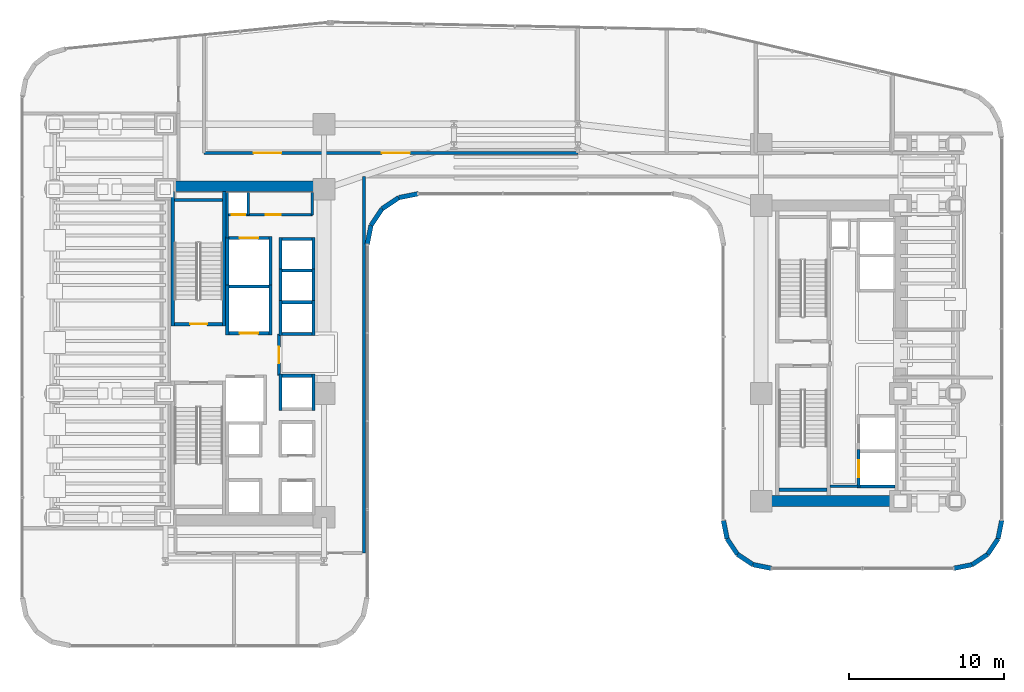
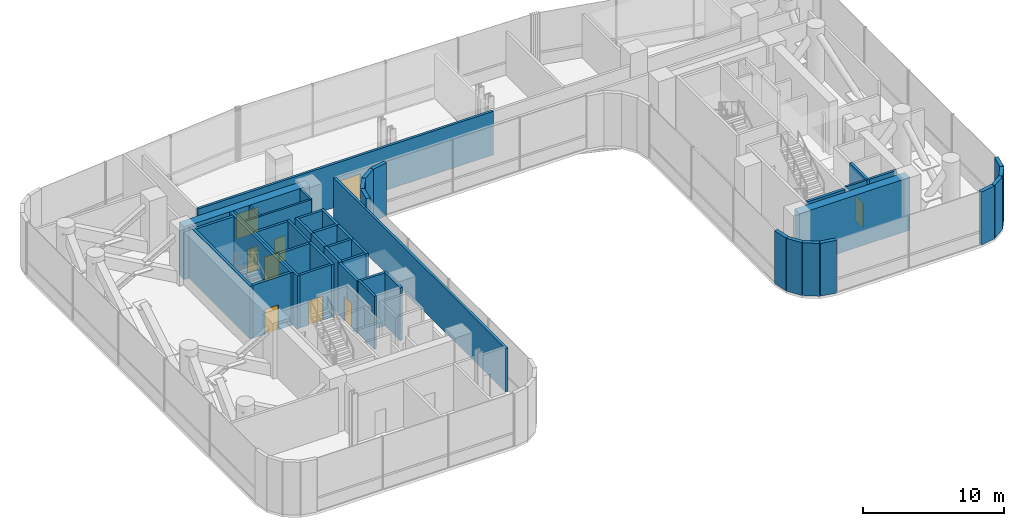
# One storey, part 33 of 39: 49 walls, 9 doors, 9 openings.
"""IFC4 building model written with IfcOpenShell, lengths in metres."""

import ifcopenshell
import ifcopenshell.guid

model = None  # the IFC model being written
_history = None  # IfcOwnerHistory: only IFC2X3 demands one
_inside = {}  # id of a spatial element -> (the spatial element, [elements in it])
_under = {}  # id of a project, library or spatial element -> (it, [spatial elements below it])
_declared = {}  # id of a project -> (the project, [libraries it declares])
_typed = {}  # id of a type object -> (the type object, [elements of that type])
_made_of = {}  # id of a material, layer set ... -> (it, [elements and type objects made of it])


def new_model(schema):
    """Start an empty IFC model of exactly this schema.

    Asked for "IFC4X3", IfcOpenShell would pick the latest addendum, in which some entities
    have other attributes; the version numbers below select the first issue.
    IFC2X3 requires an IfcOwnerHistory on every rooted entity: one is made here for all.
    """
    global model, _history
    if schema == "IFC4X3":
        model = ifcopenshell.file(schema_version=(4, 3, 0, 0))
    else:
        model = ifcopenshell.file(schema=schema)
    _inside.clear()
    _under.clear()
    _declared.clear()
    _typed.clear()
    _made_of.clear()
    _history = None
    if model.schema == "IFC2X3":
        org = make("IfcOrganization", Name="unknown")
        user = make(
            "IfcPersonAndOrganization",
            ThePerson=make("IfcPerson", FamilyName="unknown"),
            TheOrganization=org,
        )
        app = make(
            "IfcApplication",
            ApplicationDeveloper=org,
            Version="unknown",
            ApplicationFullName="unknown",
            ApplicationIdentifier="unknown",
        )
        _history = make(
            "IfcOwnerHistory",
            OwningUser=user,
            OwningApplication=app,
            ChangeAction="ADDED",
            CreationDate=0,
        )
    return model


def make(cls, **values):
    """One entity of the class cls with the attributes given. An attribute that is None is left unset."""
    return model.create_entity(
        cls, **{name: value for name, value in values.items() if value is not None}
    )


def rooted(cls, **values):
    """An entity with a GlobalId (a new one), such as an element, a storey or a relation."""
    return make(cls, GlobalId=ifcopenshell.guid.new(), OwnerHistory=_history, **values)


def si_unit(unit_type, name, prefix=None):
    """IfcSIUnit, for example si_unit("LENGTHUNIT", "METRE", prefix="MILLI")."""
    return make("IfcSIUnit", UnitType=unit_type, Prefix=prefix, Name=name)


def assignment(units):
    """IfcUnitAssignment: the units of a project."""
    return None if units is None else make("IfcUnitAssignment", Units=units)


def point(xyz):
    """IfcCartesianPoint."""
    return None if xyz is None else make("IfcCartesianPoint", Coordinates=xyz)


def direction(xyz):
    """IfcDirection."""
    return None if xyz is None else make("IfcDirection", DirectionRatios=xyz)


def frame(location, z_axis=None, x_axis=None):
    """IfcAxis2Placement3D, a coordinate frame: its origin and axes. An axis left out is left unset."""
    return make(
        "IfcAxis2Placement3D",
        Location=point(location),
        Axis=direction(z_axis),
        RefDirection=direction(x_axis),
    )


def frame_2d(location, x_axis=None):
    """IfcAxis2Placement2D, a coordinate frame in the plane: its origin and x axis."""
    return make(
        "IfcAxis2Placement2D", Location=point(location), RefDirection=direction(x_axis)
    )


def origin():
    """The frame at (0, 0, 0) with its axes left unset."""
    return frame((0.0, 0.0, 0.0))


def place(relative_to, where):
    """IfcLocalPlacement: puts the frame where relative to a parent placement (None: the world)."""
    return make(
        "IfcLocalPlacement", PlacementRelTo=relative_to, RelativePlacement=where
    )


def context(
    kind, dimensions, precision=None, world=None, true_north=None, identifier=None
):
    """IfcGeometricRepresentationContext, for example the 3D "Model" context."""
    return make(
        "IfcGeometricRepresentationContext",
        ContextIdentifier=identifier,
        ContextType=kind,
        CoordinateSpaceDimension=dimensions,
        Precision=precision,
        WorldCoordinateSystem=world,
        TrueNorth=true_north,
    )


def subcontext(parent, identifier, kind, view, scale=None):
    """IfcGeometricRepresentationSubContext, for example "Body" below "Model"."""
    return make(
        "IfcGeometricRepresentationSubContext",
        ContextIdentifier=identifier,
        ContextType=kind,
        ParentContext=parent,
        TargetScale=scale,
        TargetView=view,
    )


def project(units=None, contexts=None):
    """IfcProject with its units and contexts."""
    return rooted(
        "IfcProject",
        Name="project",
        RepresentationContexts=contexts,
        UnitsInContext=assignment(units),
    )


def spatial(cls, under=None, at=None, **own):
    """A site, building, storey or space (cls), placed at a placement, below another one or the project."""
    s = rooted(cls, ObjectPlacement=at, **own)
    if under is not None:
        _under.setdefault(under.id(), (under, []))[1].append(s)
    return s


def profile(cls, at=None, kind="AREA", **sizes):
    """A parametric profile (cls). Its sizes go by their IFC names, for example OverallWidth=200.0."""
    return make(cls, ProfileType=kind, Position=at, **sizes)


def rectangle(**sizes):
    """IfcRectangleProfileDef."""
    return profile("IfcRectangleProfileDef", **sizes)


def extrude(swept, where, along, depth):
    """IfcExtrudedAreaSolid: the profile swept, set in the frame where, extruded along a direction by depth."""
    return make(
        "IfcExtrudedAreaSolid",
        SweptArea=swept,
        Position=where,
        ExtrudedDirection=direction(along),
        Depth=depth,
    )


def shape(context_of_items, identifier, shape_type, items):
    """IfcShapeRepresentation: the items that make up one representation, for example the "Body"."""
    return make(
        "IfcShapeRepresentation",
        ContextOfItems=context_of_items,
        RepresentationIdentifier=identifier,
        RepresentationType=shape_type,
        Items=items,
    )


def material(Name=None, Category=None):
    """IfcMaterial."""
    return make("IfcMaterial", Name=Name, Category=Category)


def layer(
    of_material, thickness, ventilated=None, Name=None, Category=None, Priority=None
):
    """IfcMaterialLayer: one layer of a wall or slab, of a material (None: an air gap)."""
    return make(
        "IfcMaterialLayer",
        Material=of_material,
        LayerThickness=thickness,
        IsVentilated=ventilated,
        Name=Name,
        Category=Category,
        Priority=Priority,
    )


def layer_set(layers, Name=None):
    """IfcMaterialLayerSet."""
    return make("IfcMaterialLayerSet", MaterialLayers=layers, LayerSetName=Name)


def made_of(thing, what):
    """Note that an element or type object is made of a material, layer set ...; save() writes the relation."""
    if what is not None:
        _made_of.setdefault(what.id(), (what, []))[1].append(thing)
    return thing


def type_object(cls, material=None, **own):
    """A type object (cls), such as IfcWallType, which elements share."""
    return made_of(rooted(cls, **own), material)


def element(
    cls,
    number,
    at=None,
    inside=None,
    cuts=None,
    type_object=None,
    material=None,
    context=None,
    identifier="Body",
    shape_type=None,
    held_by="IfcProductDefinitionShape",
    body=None,
    shapes=None,
    **own,
):
    """One element of the class cls, such as IfcWall. Its Tag is "e" and its number.

    at: its placement. inside: the storey or other place that contains it. cuts: it is an
    opening in that element (IfcRelVoidsElement). A single representation is given by context,
    identifier, shape_type and body (its items); several are given by shapes. held_by: the class
    of the entity that holds the representations. save() writes the other relations.
    """
    e = rooted(cls, Tag="e%d" % number, ObjectPlacement=at, **own)
    if body is not None:
        shapes = [shape(context, identifier, shape_type, body)]
    if shapes is not None:
        e.Representation = make(held_by, Representations=shapes)
    if inside is not None:
        _inside.setdefault(inside.id(), (inside, []))[1].append(e)
    if cuts is not None:
        rooted(
            "IfcRelVoidsElement", RelatingBuildingElement=cuts, RelatedOpeningElement=e
        )
    if type_object is not None:
        _typed.setdefault(type_object.id(), (type_object, []))[1].append(e)
    return made_of(e, material)


def fill(opening, filler):
    """IfcRelFillsElement: the door or window that sits in an opening."""
    return rooted(
        "IfcRelFillsElement",
        RelatingOpeningElement=opening,
        RelatedBuildingElement=filler,
    )


def aggregate(whole, parts):
    """IfcRelAggregates: a whole, such as a stair, and the parts it consists of."""
    return rooted("IfcRelAggregates", RelatingObject=whole, RelatedObjects=parts)


def save(model, path):
    """Write the relations noted so far, then the file.

    IfcRelAggregates (storeys below a building ...), IfcRelContainedInSpatialStructure (elements
    in a storey), IfcRelDefinesByType, IfcRelAssociatesMaterial and IfcRelDeclares: one each for
    every whole, place, type object, material and project.
    """
    for whole, parts in _under.values():
        aggregate(whole, parts)
    for where, things in _inside.values():
        rooted(
            "IfcRelContainedInSpatialStructure",
            RelatedElements=things,
            RelatingStructure=where,
        )
    for kind, things in _typed.values():
        rooted("IfcRelDefinesByType", RelatedObjects=things, RelatingType=kind)
    for what, things in _made_of.values():
        rooted("IfcRelAssociatesMaterial", RelatedObjects=things, RelatingMaterial=what)
    for by, libraries in _declared.values():
        rooted("IfcRelDeclares", RelatingContext=by, RelatedDefinitions=libraries)
    model.write(path)


model = new_model("IFC4")

# Units and contexts
model_context = context("Model", 3, precision=1e-05, world=origin(), true_north=direction((0.0, 1.0)))
body_context = subcontext(model_context, "Body", "Model", "MODEL_VIEW")
ifc_project = project(units=[si_unit("LENGTHUNIT", "METRE"), si_unit("AREAUNIT", "SQUARE_METRE"), si_unit("VOLUMEUNIT", "CUBIC_METRE"), si_unit("PLANEANGLEUNIT", "RADIAN"), si_unit("MASSUNIT", "GRAM", prefix="KILO")], contexts=[model_context])

# Site, building, storey
site_placement = place(None, origin())
site = spatial("IfcSite", under=ifc_project, at=site_placement, CompositionType="ELEMENT")
building_placement = place(site_placement, origin())
building = spatial("IfcBuilding", under=site, at=building_placement, Name="Valdorenza Pilgrim Sanctuary Tower", CompositionType="ELEMENT")
storey_placement = place(building_placement, frame((0.0, 0.0, 96.300048828125)))
storey = spatial("IfcBuildingStorey", under=building, at=storey_placement, Name="L24", CompositionType="ELEMENT", Elevation=96.300048828125)

# Wall
ifc_material_1 = material(Name="Acoustic twin-stud gypsum partition", Category="gypsum")
ifc_layer_1 = layer(ifc_material_1, 0.159912109375, Name="Acoustic twin-stud gypsum partition")
ifc_layer_set_1 = layer_set([ifc_layer_1], Name="Acoustic twin-stud gypsum partition")
wall_type_1 = type_object("IfcWallType", Name="WAL-COR-160", PredefinedType="PARTITIONING", material=ifc_layer_set_1)
wall_1_placement = place(storey_placement, frame((-18.64990234375, 7.449951171875, 0.0), z_axis=(0.0, 0.0, 1.0), x_axis=(0.0, 1.0, 0.0)))
element("IfcWall", 1, at=wall_1_placement, inside=storey, type_object=wall_type_1, Name="L24 Core A North Service West Wall", PredefinedType="PARTITIONING", context=body_context, shape_type="SweptSolid", body=[
    extrude(rectangle(XDim=2.929931640625, YDim=0.159912109375, at=frame_2d((1.46484375, 0.0))), origin(), (0.0, 0.0, 1.0), 4.56005859375),
])

# Wall, openings, doors
wall_2_placement = place(storey_placement, frame((-18.64990234375, 8.949951171875, 0.0), z_axis=(0.0, 0.0, 1.0), x_axis=(1.0, 0.0, 0.0)))
wall_2 = element("IfcWall", 2, at=wall_2_placement, inside=storey, type_object=wall_type_1, Name="L24 Core A North Service South Wall", PredefinedType="PARTITIONING", context=body_context, shape_type="SweptSolid", body=[
    extrude(rectangle(XDim=5.5, YDim=0.159912109375, at=frame_2d((2.75, 0.0))), origin(), (0.0, 0.0, 1.0), 4.56005859375),
])
opening_1_placement = place(wall_2_placement, frame((0.300048828125, 0.0, 0.0)))
opening_1 = element("IfcOpeningElement", 3, at=opening_1_placement, cuts=wall_2, Name="Opening DR-RS1", PredefinedType="OPENING", context=body_context, shape_type="SweptSolid", body=[
    extrude(rectangle(XDim=0.85009765625, YDim=2.050048828125, at=frame_2d((0.425048828125, 1.02490234375))), frame((0.0, 0.0947265625, 0.0), z_axis=(0.0, -1.0, 0.0), x_axis=(1.0, 0.0, 0.0)), (0.0, 0.0, 1.0), 0.189697265625),
])
opening_2_placement = place(wall_2_placement, frame((2.5, 0.0, 0.0)))
opening_2 = element("IfcOpeningElement", 4, at=opening_2_placement, cuts=wall_2, Name="Opening DR-UN1", PredefinedType="OPENING", context=body_context, shape_type="SweptSolid", body=[
    extrude(rectangle(XDim=0.949951171875, YDim=2.14990234375, at=frame_2d((0.47509765625, 1.074951171875))), frame((0.0, 0.0947265625, 0.0), z_axis=(0.0, -1.0, 0.0), x_axis=(1.0, 0.0, 0.0)), (0.0, 0.0, 1.0), 0.189697265625),
])
ifc_material_2 = material(Name="Painted galvanized steel", Category="steel")
door_type_1 = type_object("IfcDoorType", Name="DR-RSR-850", OperationType="NOTDEFINED", PredefinedType="DOOR", material=ifc_material_2)
door_1_placement = place(opening_1_placement, origin())
door_1 = element("IfcDoor", 5, at=door_1_placement, inside=storey, type_object=door_type_1, Name="L24 Core Electrical and Telecom Riser Door", OperationType="SINGLE_SWING_LEFT", OverallHeight=2.050048828125, OverallWidth=0.85009765625, PredefinedType="DOOR", context=body_context, shape_type="SweptSolid", body=[
    extrude(rectangle(XDim=0.85009765625, YDim=2.050048828125, at=frame_2d((0.425048828125, 1.02490234375))), frame((0.0, 0.02490234375, 0.0), z_axis=(0.0, -1.0, 0.0), x_axis=(1.0, 0.0, 0.0)), (0.0, 0.0, 1.0), 0.050048828125),
])
fill(opening_1, door_1)
ifc_material_3 = material(Name="Solid-core European oak timber", Category="wood")
door_type_2 = type_object("IfcDoorType", Name="DR-UNIT-950", OperationType="NOTDEFINED", PredefinedType="DOOR", material=ifc_material_3)
door_2_placement = place(opening_2_placement, origin())
door_2 = element("IfcDoor", 6, at=door_2_placement, inside=storey, type_object=door_type_2, Name="L24 Core Janitor and Maintenance Store Door", OperationType="SINGLE_SWING_RIGHT", OverallHeight=2.14990234375, OverallWidth=0.949951171875, PredefinedType="DOOR", context=body_context, shape_type="SweptSolid", body=[
    extrude(rectangle(XDim=0.949951171875, YDim=2.14990234375, at=frame_2d((0.47509765625, 1.074951171875))), frame((0.0, 0.02490234375, 0.0), z_axis=(0.0, -1.0, 0.0), x_axis=(1.0, 0.0, 0.0)), (0.0, 0.0, 1.0), 0.050048828125),
])
fill(opening_2, door_2)

# Walls
for number, where, z_axis, x_axis, name in (
    (7, (-13.14990234375, 8.949951171875, 0.0), (0.0, 0.0, 1.0), (0.0, 1.0, 0.0), "L24 Core A North Service East Wall"),
    (8, (-17.300048828125, 8.949951171875, 0.0), (0.0, 0.0, 1.0), (0.0, 1.0, 0.0), "L24 Core Electrical Riser Wall"),
):
    element("IfcWall", number, at=place(storey_placement, frame(where, z_axis=z_axis, x_axis=x_axis)), inside=storey, type_object=wall_type_1, Name=name, PredefinedType="PARTITIONING", context=body_context, shape_type="SweptSolid", body=[
        extrude(rectangle(XDim=1.429931640625, YDim=0.159912109375, at=frame_2d((0.71484375, 0.0))), origin(), (0.0, 0.0, 1.0), 4.56005859375),
    ])
wall_3_placement = place(storey_placement, frame((20.300048828125, -8.60009765625, 0.0), z_axis=(0.0, 0.0, 1.0), x_axis=(1.0, 0.0, 0.0)))
element("IfcWall", 9, at=wall_3_placement, inside=storey, type_object=wall_type_1, Name="L24 Core B Lift Hall South End Wall", PredefinedType="PARTITIONING", context=body_context, shape_type="SweptSolid", body=[
    extrude(rectangle(XDim=1.820068359375, YDim=0.159912109375, at=frame_2d((0.91015625, 0.0))), origin(), (0.0, 0.0, 1.0), 4.56005859375),
])
ifc_material_4 = material(Name="Concrete C60/75", Category="concrete")
ifc_layer_2 = layer(ifc_material_4, 0.699951171875, Name="Concrete C60/75")
ifc_layer_set_2 = layer_set([ifc_layer_2], Name="Concrete C60/75")
wall_type_2 = type_object("IfcWallType", Name="WAL-COR-700", PredefinedType="SHEAR", material=ifc_layer_set_2)
wall_4_placement = place(storey_placement, frame((-22.64990234375, 10.800048828125, 0.0), z_axis=(0.0, 0.0, 1.0), x_axis=(1.0, 0.0, 0.0)))
element("IfcWall", 10, at=wall_4_placement, inside=storey, type_object=wall_type_2, Name="L24 Split Core A Shear Wall N", PredefinedType="SHEAR", context=body_context, shape_type="SweptSolid", body=[
    extrude(rectangle(XDim=10.25, YDim=0.699951171875, at=frame_2d((5.125, 0.0))), origin(), (0.0, 0.0, 1.0), 4.56005859375),
])
wall_5_placement = place(storey_placement, frame((15.85009765625, -9.550048828125, 0.0), z_axis=(0.0, 0.0, 1.0), x_axis=(1.0, 0.0, 0.0)))
element("IfcWall", 11, at=wall_5_placement, inside=storey, type_object=wall_type_2, Name="L24 Split Core B Shear Wall S", PredefinedType="SHEAR", context=body_context, shape_type="SweptSolid", body=[
    extrude(rectangle(XDim=9.0, YDim=0.699951171875, at=frame_2d((4.5, 0.0))), origin(), (0.0, 0.0, 1.0), 4.56005859375),
])
ifc_material_5 = material(Name="Honed travertine limestone", Category="masonry")
ifc_layer_3 = layer(ifc_material_5, 0.300048828125, Name="Honed travertine limestone")
ifc_layer_set_3 = layer_set([ifc_layer_3], Name="Honed travertine limestone")
wall_type_3 = type_object("IfcWallType", Name="WAL-EXT-300", PredefinedType="SOLIDWALL", material=ifc_layer_set_3)
wall_6_placement = place(storey_placement, frame((31.389892578125, -10.789306640625, 0.0), z_axis=(0.0, 0.0, 1.0), x_axis=(-0.194996050505, -0.980804027463, 0.0)))
element("IfcWall", 12, at=wall_6_placement, inside=storey, type_object=wall_type_3, Name="L24 Rounded Wind-Corner Stone Pier 22", PredefinedType="SOLIDWALL", context=body_context, shape_type="SweptSolid", body=[
    extrude(rectangle(XDim=1.2158203125, YDim=0.300048828125, at=frame_2d((0.60791015625, 0.0))), origin(), (0.0, 0.0, 1.0), 4.56005859375),
])
for number, where, z_axis, x_axis, name in (
    (13, (31.15283203125, -11.981689453125, 0.0), (0.0, 0.0, 1.0), (-0.555635100982, -0.831426265255, 0.0), "L24 Rounded Wind-Corner Stone Pier 23"),
    (14, (30.4833984375, -12.9833984375, 0.0), (0.0, 0.0, 1.0), (-0.831426265255, -0.555635100982, 0.0), "L24 Rounded Wind-Corner Stone Pier 24"),
):
    element("IfcWall", number, at=place(storey_placement, frame(where, z_axis=z_axis, x_axis=x_axis)), inside=storey, type_object=wall_type_3, Name=name, PredefinedType="SOLIDWALL", context=body_context, shape_type="SweptSolid", body=[
        extrude(rectangle(XDim=1.204833984375, YDim=0.300048828125, at=frame_2d((0.6025390625, 0.0))), origin(), (0.0, 0.0, 1.0), 4.56005859375),
    ])
for number, where, z_axis, x_axis, name in (
    (15, (29.481689453125, -13.65283203125, 0.0), (0.0, 0.0, 1.0), (-0.980804027463, -0.194996050505, 0.0), "L24 Rounded Wind-Corner Stone Pier 25"),
    (16, (16.5107421875, -13.889892578125, 0.0), (0.0, 0.0, 1.0), (-0.980804027463, 0.194996050505, 0.0), "L24 Rounded Wind-Corner Stone Pier 27"),
):
    element("IfcWall", number, at=place(storey_placement, frame(where, z_axis=z_axis, x_axis=x_axis)), inside=storey, type_object=wall_type_3, Name=name, PredefinedType="SOLIDWALL", context=body_context, shape_type="SweptSolid", body=[
        extrude(rectangle(XDim=1.2158203125, YDim=0.300048828125, at=frame_2d((0.60791015625, 0.0))), origin(), (0.0, 0.0, 1.0), 4.56005859375),
    ])
for number, where, z_axis, x_axis, name in (
    (17, (15.318359375, -13.65283203125, 0.0), (0.0, 0.0, 1.0), (-0.831426265255, 0.555635100982, 0.0), "L24 Rounded Wind-Corner Stone Pier 28"),
    (18, (14.316650390625, -12.9833984375, 0.0), (0.0, 0.0, 1.0), (-0.555635100982, 0.831426265255, 0.0), "L24 Rounded Wind-Corner Stone Pier 29"),
):
    element("IfcWall", number, at=place(storey_placement, frame(where, z_axis=z_axis, x_axis=x_axis)), inside=storey, type_object=wall_type_3, Name=name, PredefinedType="SOLIDWALL", context=body_context, shape_type="SweptSolid", body=[
        extrude(rectangle(XDim=1.204833984375, YDim=0.300048828125, at=frame_2d((0.6025390625, 0.0))), origin(), (0.0, 0.0, 1.0), 4.56005859375),
    ])
wall_7_placement = place(storey_placement, frame((13.647216796875, -11.981689453125, 0.0), z_axis=(0.0, 0.0, 1.0), x_axis=(-0.195189223115, 0.980765602568, 0.0)))
element("IfcWall", 19, at=wall_7_placement, inside=storey, type_object=wall_type_3, Name="L24 Rounded Wind-Corner Stone Pier 30", PredefinedType="SOLIDWALL", context=body_context, shape_type="SweptSolid", body=[
    extrude(rectangle(XDim=1.2158203125, YDim=0.300048828125, at=frame_2d((0.60791015625, 0.0))), origin(), (0.0, 0.0, 1.0), 4.56005859375),
])
wall_8_placement = place(storey_placement, frame((-6.310791015625, 10.31005859375, 0.0), z_axis=(0.0, 0.0, 1.0), x_axis=(-0.980778058848, -0.195126623715, 0.0)))
element("IfcWall", 20, at=wall_8_placement, inside=storey, type_object=wall_type_3, Name="L24 Rounded Wind-Corner Stone Pier 37", PredefinedType="SOLIDWALL", context=body_context, shape_type="SweptSolid", body=[
    extrude(rectangle(XDim=1.28125, YDim=0.300048828125, at=frame_2d((0.640625, 0.0))), origin(), (0.0, 0.0, 1.0), 4.56005859375),
])
wall_9_placement = place(storey_placement, frame((-7.5673828125, 10.06005859375, 0.0), z_axis=(0.0, 0.0, 1.0), x_axis=(-0.831497739511, -0.555528135371, 0.0)))
element("IfcWall", 21, at=wall_9_placement, inside=storey, type_object=wall_type_3, Name="L24 Rounded Wind-Corner Stone Pier 38", PredefinedType="SOLIDWALL", context=body_context, shape_type="SweptSolid", body=[
    extrude(rectangle(XDim=1.29248046875, YDim=0.300048828125, at=frame_2d((0.646240234375, 0.0))), origin(), (0.0, 0.0, 1.0), 4.56005859375),
])
wall_10_placement = place(storey_placement, frame((-8.64208984375, 9.342041015625, 0.0), z_axis=(0.0, 0.0, 1.0), x_axis=(-0.555615398575, -0.831439431869, 0.0)))
element("IfcWall", 22, at=wall_10_placement, inside=storey, type_object=wall_type_3, Name="L24 Rounded Wind-Corner Stone Pier 39", PredefinedType="SOLIDWALL", context=body_context, shape_type="SweptSolid", body=[
    extrude(rectangle(XDim=1.292236328125, YDim=0.300048828125, at=frame_2d((0.64599609375, 0.0))), origin(), (0.0, 0.0, 1.0), 4.56005859375),
])
wall_11_placement = place(storey_placement, frame((-9.360107421875, 8.267578125, 0.0), z_axis=(0.0, 0.0, 1.0), x_axis=(-0.195090163074, -0.980785312019, 0.0)))
element("IfcWall", 23, at=wall_11_placement, inside=storey, type_object=wall_type_3, Name="L24 Rounded Wind-Corner Stone Pier 40", PredefinedType="SOLIDWALL", context=body_context, shape_type="SweptSolid", body=[
    extrude(rectangle(XDim=1.281494140625, YDim=0.300048828125, at=frame_2d((0.640625, 0.0))), origin(), (0.0, 0.0, 1.0), 4.56005859375),
])

# Wall, opening, door
ifc_material_6 = material(Name="Gypsum shaftwall partition", Category="gypsum")
ifc_layer_4 = layer(ifc_material_6, 0.199951171875, Name="Gypsum shaftwall partition")
ifc_layer_set_4 = layer_set([ifc_layer_4], Name="Gypsum shaftwall partition")
wall_type_4 = type_object("IfcWallType", Name="WAL-FFL-200", PredefinedType="PARTITIONING", material=ifc_layer_set_4)
wall_12_placement = place(storey_placement, frame((-15.300048828125, -1.419921875, 0.0), z_axis=(0.0, 0.0, 1.0), x_axis=(0.0, 1.0, 0.0)))
wall_12 = element("IfcWall", 24, at=wall_12_placement, inside=storey, type_object=wall_type_4, Name="L24 Core A Firefighting Lobby East Wall", PredefinedType="PARTITIONING", context=body_context, shape_type="SweptSolid", body=[
    extrude(rectangle(XDim=2.669921875, YDim=0.199951171875, at=frame_2d((1.3349609375, 0.0))), origin(), (0.0, 0.0, 1.0), 4.56005859375),
])
opening_3_placement = place(wall_12_placement, frame((0.780029296875, 0.0, 0.0)))
opening_3 = element("IfcOpeningElement", 25, at=opening_3_placement, cuts=wall_12, Name="Opening DR-FL1", PredefinedType="OPENING", context=body_context, shape_type="SweptSolid", body=[
    extrude(rectangle(XDim=1.050048828125, YDim=2.14990234375, at=frame_2d((0.52490234375, 1.074951171875))), frame((0.0, 0.11474609375, 0.0), z_axis=(0.0, -1.0, 0.0), x_axis=(1.0, 0.0, 0.0)), (0.0, 0.0, 1.0), 0.229736328125),
])
door_type_3 = type_object("IfcDoorType", Name="DR-FFL-1050", OperationType="NOTDEFINED", PredefinedType="DOOR", material=ifc_material_2)
door_3_placement = place(opening_3_placement, origin())
door_3 = element("IfcDoor", 26, at=door_3_placement, inside=storey, type_object=door_type_3, Name="L24 Core A Firefighting Lobby Door", OperationType="SINGLE_SWING_RIGHT", OverallHeight=2.14990234375, OverallWidth=1.050048828125, PredefinedType="DOOR", context=body_context, shape_type="SweptSolid", body=[
    extrude(rectangle(XDim=1.050048828125, YDim=2.14990234375, at=frame_2d((0.52490234375, 1.074951171875))), frame((0.0, 0.02490234375, 0.0), z_axis=(0.0, -1.0, 0.0), x_axis=(1.0, 0.0, 0.0)), (0.0, 0.0, 1.0), 0.050048828125),
])
fill(opening_3, door_3)

# Wall, openings, doors
wall_13_placement = place(storey_placement, frame((-20.14990234375, 12.949951171875, 0.0), z_axis=(0.0, 0.0, 1.0), x_axis=(1.0, 0.0, 0.0)))
wall_13 = element("IfcWall", 27, at=wall_13_placement, inside=storey, type_object=wall_type_4, Name="L24 Primary Refuge South Wall", PredefinedType="PARTITIONING", context=body_context, shape_type="SweptSolid", body=[
    extrude(rectangle(XDim=24.14990234375, YDim=0.199951171875, at=frame_2d((12.074951171875, 0.0))), origin(), (0.0, 0.0, 1.0), 3.765869140625),
])
opening_4_placement = place(wall_13_placement, frame((3.199951171875, 0.0, 0.0)))
opening_4 = element("IfcOpeningElement", 28, at=opening_4_placement, cuts=wall_13, Name="Opening DR-HL1", PredefinedType="OPENING", context=body_context, shape_type="SweptSolid", body=[
    extrude(rectangle(XDim=1.800048828125, YDim=2.14990234375, at=frame_2d((0.89990234375, 1.074951171875))), frame((0.0, 0.11474609375, 0.0), z_axis=(0.0, -1.0, 0.0), x_axis=(1.0, 0.0, 0.0)), (0.0, 0.0, 1.0), 0.229736328125),
])
opening_5_placement = place(wall_13_placement, frame((11.5, 0.0, 0.0)))
opening_5 = element("IfcOpeningElement", 29, at=opening_5_placement, cuts=wall_13, Name="Opening DR-HL1", PredefinedType="OPENING", context=body_context, shape_type="SweptSolid", body=[
    extrude(rectangle(XDim=1.800048828125, YDim=2.14990234375, at=frame_2d((0.89990234375, 1.074951171875))), frame((0.0, 0.11474609375, 0.0), z_axis=(0.0, -1.0, 0.0), x_axis=(1.0, 0.0, 0.0)), (0.0, 0.0, 1.0), 0.229736328125),
])
ifc_material_7 = material(Name="Acoustic oak and vision-glass double door", Category="glass")
door_type_4 = type_object("IfcDoorType", Name="DR-HALL-1800", OperationType="NOTDEFINED", PredefinedType="DOOR", material=ifc_material_7)
door_4_placement = place(opening_4_placement, origin())
door_4 = element("IfcDoor", 30, at=door_4_placement, inside=storey, type_object=door_type_4, Name="L24 Primary Smokeproof Refuge Area West Double Door", OperationType="DOUBLE_DOOR_SINGLE_SWING", OverallHeight=2.14990234375, OverallWidth=1.800048828125, PredefinedType="DOOR", context=body_context, shape_type="SweptSolid", body=[
    extrude(rectangle(XDim=1.800048828125, YDim=2.14990234375, at=frame_2d((0.89990234375, 1.074951171875))), frame((0.0, 0.02490234375, 0.0), z_axis=(0.0, -1.0, 0.0), x_axis=(1.0, 0.0, 0.0)), (0.0, 0.0, 1.0), 0.050048828125),
])
fill(opening_4, door_4)
door_5_placement = place(opening_5_placement, frame((1.800048828125, 0.0, 0.0), z_axis=(0.0, 0.0, 1.0), x_axis=(-1.0, 0.0, 0.0)))
door_5 = element("IfcDoor", 31, at=door_5_placement, inside=storey, type_object=door_type_4, Name="L24 Primary Smokeproof Refuge Area East Double Door", OperationType="DOUBLE_DOOR_SINGLE_SWING", OverallHeight=2.14990234375, OverallWidth=1.800048828125, PredefinedType="DOOR", context=body_context, shape_type="SweptSolid", body=[
    extrude(rectangle(XDim=1.800048828125, YDim=2.14990234375, at=frame_2d((0.89990234375, 1.074951171875))), frame((0.0, 0.02490234375, 0.0), z_axis=(0.0, -1.0, 0.0), x_axis=(1.0, 0.0, 0.0)), (0.0, 0.0, 1.0), 0.050048828125),
])
fill(opening_5, door_5)

# Walls
wall_14_placement = place(storey_placement, frame((-9.800048828125, -12.89990234375, 0.0), z_axis=(0.0, 0.0, 1.0), x_axis=(0.0, 1.0, 0.0)))
element("IfcWall", 32, at=wall_14_placement, inside=storey, type_object=wall_type_4, Name="L24 L24 Core A East Corridor Wall", PredefinedType="PARTITIONING", context=body_context, shape_type="SweptSolid", body=[
    extrude(rectangle(XDim=24.31982421875, YDim=0.199951171875, at=frame_2d((12.159912109375, 0.0))), origin(), (0.0, 0.0, 1.0), 3.765869140625),
])
ifc_material_8 = material(Name="Autoclaved aerated concrete blockwork", Category="masonry")
ifc_layer_5 = layer(ifc_material_8, 0.199951171875, Name="Autoclaved aerated concrete blockwork")
ifc_layer_set_5 = layer_set([ifc_layer_5], Name="Autoclaved aerated concrete blockwork")
wall_type_5 = type_object("IfcWallType", Name="WAL-SHF-200", PredefinedType="MOVABLE", material=ifc_layer_set_5)
for number, where, z_axis, x_axis, name in (
    (33, (-18.64990234375, 1.199951171875, 0.0), (0.0, 0.0, 1.0), (0.0, 1.0, 0.0), "L24 Lift FFL-01 Hoistway Wall West"),
    (34, (-15.85009765625, 1.199951171875, 0.0), (0.0, 0.0, 1.0), (0.0, 1.0, 0.0), "L24 Lift FFL-01 Hoistway Wall East"),
):
    element("IfcWall", number, at=place(storey_placement, frame(where, z_axis=z_axis, x_axis=x_axis)), inside=storey, type_object=wall_type_5, Name=name, PredefinedType="MOVABLE", context=body_context, shape_type="SweptSolid", body=[
        extrude(rectangle(XDim=3.22509765625, YDim=0.199951171875, at=frame_2d((1.612548828125, 0.0))), origin(), (0.0, 0.0, 1.0), 4.56005859375),
    ])

# Wall, opening, door
wall_15_placement = place(storey_placement, frame((-18.550048828125, 1.300048828125, 0.0), z_axis=(0.0, 0.0, 1.0), x_axis=(1.0, 0.0, 0.0)))
wall_15 = element("IfcWall", 35, at=wall_15_placement, inside=storey, type_object=wall_type_5, Name="L24 Lift FFL-01 Hoistway Wall South", PredefinedType="MOVABLE", context=body_context, shape_type="SweptSolid", body=[
    extrude(rectangle(XDim=2.60009765625, YDim=0.199951171875, at=frame_2d((1.300048828125, 0.0))), origin(), (0.0, 0.0, 1.0), 4.56005859375),
])
opening_6_placement = place(wall_15_placement, frame((0.699951171875, 0.0, 0.0)))
opening_6 = element("IfcOpeningElement", 36, at=opening_6_placement, cuts=wall_15, Name="Opening LD-02", PredefinedType="OPENING", context=body_context, shape_type="SweptSolid", body=[
    extrude(rectangle(XDim=1.199951171875, YDim=2.10009765625, at=frame_2d((0.60009765625, 1.050048828125))), frame((0.0, 0.11474609375, 0.0), z_axis=(0.0, -1.0, 0.0), x_axis=(1.0, 0.0, 0.0)), (0.0, 0.0, 1.0), 0.229736328125),
])
ifc_material_9 = material(Name="Brushed stainless steel Grade 316", Category="steel")
door_type_5 = type_object("IfcDoorType", Name="DR-LFT-1200", OperationType="DOUBLE_DOOR_SLIDING", PredefinedType="DOOR", material=ifc_material_9)
door_6_placement = place(opening_6_placement, origin())
door_6 = element("IfcDoor", 37, at=door_6_placement, inside=storey, type_object=door_type_5, Name="L24 Lift FFL-01 Sliding Landing Door", OperationType="DOUBLE_DOOR_SLIDING", OverallHeight=2.10009765625, OverallWidth=1.199951171875, PredefinedType="DOOR", context=body_context, shape_type="SweptSolid", body=[
    extrude(rectangle(XDim=1.199951171875, YDim=2.10009765625, at=frame_2d((0.60009765625, 1.050048828125))), frame((0.0, 0.02490234375, 0.0), z_axis=(0.0, -1.0, 0.0), x_axis=(1.0, 0.0, 0.0)), (0.0, 0.0, 1.0), 0.050048828125),
])
fill(opening_6, door_6)

# Walls
wall_16_placement = place(storey_placement, frame((-18.550048828125, 4.324951171875, 0.0), z_axis=(0.0, 0.0, 1.0), x_axis=(1.0, 0.0, 0.0)))
element("IfcWall", 38, at=wall_16_placement, inside=storey, type_object=wall_type_5, Name="L24 Lift FFL-01 Hoistway Wall North", PredefinedType="MOVABLE", context=body_context, shape_type="SweptSolid", body=[
    extrude(rectangle(XDim=2.60009765625, YDim=0.199951171875, at=frame_2d((1.300048828125, 0.0))), origin(), (0.0, 0.0, 1.0), 4.56005859375),
])
for number, where, z_axis, x_axis, name in (
    (39, (-18.64990234375, 4.22509765625, 0.0), (0.0, 0.0, 1.0), (0.0, 1.0, 0.0), "L24 Lift SVL-01 Hoistway Wall West"),
    (40, (-15.85009765625, 4.22509765625, 0.0), (0.0, 0.0, 1.0), (0.0, 1.0, 0.0), "L24 Lift SVL-01 Hoistway Wall East"),
):
    element("IfcWall", number, at=place(storey_placement, frame(where, z_axis=z_axis, x_axis=x_axis)), inside=storey, type_object=wall_type_5, Name=name, PredefinedType="MOVABLE", context=body_context, shape_type="SweptSolid", body=[
        extrude(rectangle(XDim=3.324951171875, YDim=0.199951171875, at=frame_2d((1.66259765625, 0.0))), origin(), (0.0, 0.0, 1.0), 4.56005859375),
    ])

# Wall, opening, door
wall_17_placement = place(storey_placement, frame((-18.550048828125, 7.449951171875, 0.0), z_axis=(0.0, 0.0, 1.0), x_axis=(1.0, 0.0, 0.0)))
wall_17 = element("IfcWall", 41, at=wall_17_placement, inside=storey, type_object=wall_type_5, Name="L24 Lift SVL-01 Hoistway Wall North", PredefinedType="MOVABLE", context=body_context, shape_type="SweptSolid", body=[
    extrude(rectangle(XDim=2.60009765625, YDim=0.199951171875, at=frame_2d((1.300048828125, 0.0))), origin(), (0.0, 0.0, 1.0), 4.56005859375),
])
opening_7_placement = place(wall_17_placement, frame((0.699951171875, 0.0, 0.0)))
opening_7 = element("IfcOpeningElement", 42, at=opening_7_placement, cuts=wall_17, Name="Opening LD-02", PredefinedType="OPENING", context=body_context, shape_type="SweptSolid", body=[
    extrude(rectangle(XDim=1.199951171875, YDim=2.10009765625, at=frame_2d((0.60009765625, 1.050048828125))), frame((0.0, 0.11474609375, 0.0), z_axis=(0.0, -1.0, 0.0), x_axis=(1.0, 0.0, 0.0)), (0.0, 0.0, 1.0), 0.229736328125),
])
door_7_placement = place(opening_7_placement, origin())
door_7 = element("IfcDoor", 43, at=door_7_placement, inside=storey, type_object=door_type_5, Name="L24 Lift SVL-01 Sliding Landing Door", OperationType="DOUBLE_DOOR_SLIDING", OverallHeight=2.10009765625, OverallWidth=1.199951171875, PredefinedType="DOOR", context=body_context, shape_type="SweptSolid", body=[
    extrude(rectangle(XDim=1.199951171875, YDim=2.10009765625, at=frame_2d((0.60009765625, 1.050048828125))), frame((0.0, 0.02490234375, 0.0), z_axis=(0.0, -1.0, 0.0), x_axis=(1.0, 0.0, 0.0)), (0.0, 0.0, 1.0), 0.050048828125),
])
fill(opening_7, door_7)

wall_18_placement = place(storey_placement, frame((22.14990234375, -8.699951171875, 0.0), z_axis=(0.0, 0.0, 1.0), x_axis=(0.0, 1.0, 0.0)))
wall_18 = element("IfcWall", 44, at=wall_18_placement, inside=storey, type_object=wall_type_5, Name="L24 Lift PL-03 Hoistway Wall West", PredefinedType="MOVABLE", context=body_context, shape_type="SweptSolid", body=[
    extrude(rectangle(XDim=2.474853515625, YDim=0.199951171875, at=frame_2d((1.2373046875, 0.0))), origin(), (0.0, 0.0, 1.0), 4.56005859375),
])
opening_8_placement = place(wall_18_placement, frame((0.6875, 0.0, 0.0)))
opening_8 = element("IfcOpeningElement", 45, at=opening_8_placement, cuts=wall_18, Name="Opening LD-01", PredefinedType="OPENING", context=body_context, shape_type="SweptSolid", body=[
    extrude(rectangle(XDim=1.10009765625, YDim=2.10009765625, at=frame_2d((0.550048828125, 1.050048828125))), frame((0.0, 0.11474609375, 0.0), z_axis=(0.0, -1.0, 0.0), x_axis=(1.0, 0.0, 0.0)), (0.0, 0.0, 1.0), 0.229736328125),
])
door_type_6 = type_object("IfcDoorType", Name="DR-LFT-1100", OperationType="DOUBLE_DOOR_SLIDING", PredefinedType="DOOR", material=ifc_material_9)
door_8_placement = place(opening_8_placement, origin())
door_8 = element("IfcDoor", 46, at=door_8_placement, inside=storey, type_object=door_type_6, Name="L24 Lift PL-03 Sliding Landing Door", OperationType="DOUBLE_DOOR_SLIDING", OverallHeight=2.10009765625, OverallWidth=1.10009765625, PredefinedType="DOOR", context=body_context, shape_type="SweptSolid", body=[
    extrude(rectangle(XDim=1.10009765625, YDim=2.10009765625, at=frame_2d((0.550048828125, 1.050048828125))), frame((0.0, 0.02490234375, 0.0), z_axis=(0.0, -1.0, 0.0), x_axis=(1.0, 0.0, 0.0)), (0.0, 0.0, 1.0), 0.050048828125),
])
fill(opening_8, door_8)

# Walls
wall_19_placement = place(storey_placement, frame((22.25, -8.60009765625, 0.0), z_axis=(0.0, 0.0, 1.0), x_axis=(1.0, 0.0, 0.0)))
element("IfcWall", 47, at=wall_19_placement, inside=storey, type_object=wall_type_5, Name="L24 Lift PL-03 Hoistway Wall South", PredefinedType="MOVABLE", context=body_context, shape_type="SweptSolid", body=[
    extrude(rectangle(XDim=2.22998046875, YDim=0.199951171875, at=frame_2d((1.114990234375, 0.0))), origin(), (0.0, 0.0, 1.0), 4.56005859375),
])
for number, where, z_axis, x_axis, name in (
    (48, (-15.199951171875, 1.14990234375, 0.0), (0.0, 0.0, 1.0), (0.0, 1.0, 0.0), "L24 Lift PL-06 Hoistway Wall West"),
    (49, (-13.080078125, 1.14990234375, 0.0), (0.0, 0.0, 1.0), (0.0, 1.0, 0.0), "L24 Lift PL-06 Hoistway Wall East"),
):
    element("IfcWall", number, at=place(storey_placement, frame(where, z_axis=z_axis, x_axis=x_axis)), inside=storey, type_object=wall_type_5, Name=name, PredefinedType="MOVABLE", context=body_context, shape_type="SweptSolid", body=[
        extrude(rectangle(XDim=2.25, YDim=0.199951171875, at=frame_2d((1.125, 0.0))), origin(), (0.0, 0.0, 1.0), 4.56005859375),
    ])
wall_20_placement = place(storey_placement, frame((-15.10009765625, 1.25, 0.0), z_axis=(0.0, 0.0, 1.0), x_axis=(1.0, 0.0, 0.0)))
element("IfcWall", 50, at=wall_20_placement, inside=storey, type_object=wall_type_5, Name="L24 Lift PL-06 Hoistway Wall South", PredefinedType="MOVABLE", context=body_context, shape_type="SweptSolid", body=[
    extrude(rectangle(XDim=1.920166015625, YDim=0.199951171875, at=frame_2d((0.9599609375, 0.0))), origin(), (0.0, 0.0, 1.0), 4.56005859375),
])
for number, where, z_axis, x_axis, name in (
    (51, (-15.199951171875, 3.199951171875, 0.0), (0.0, 0.0, 1.0), (0.0, 1.0, 0.0), "L24 Lift PL-09 Hoistway Wall West"),
    (52, (-13.080078125, 3.199951171875, 0.0), (0.0, 0.0, 1.0), (0.0, 1.0, 0.0), "L24 Lift PL-09 Hoistway Wall East"),
):
    element("IfcWall", number, at=place(storey_placement, frame(where, z_axis=z_axis, x_axis=x_axis)), inside=storey, type_object=wall_type_5, Name=name, PredefinedType="MOVABLE", context=body_context, shape_type="SweptSolid", body=[
        extrude(rectangle(XDim=2.25, YDim=0.199951171875, at=frame_2d((1.125, 0.0))), origin(), (0.0, 0.0, 1.0), 4.56005859375),
    ])
for number, where, z_axis, x_axis, name in (
    (53, (-15.10009765625, 3.300048828125, 0.0), (0.0, 0.0, 1.0), (1.0, 0.0, 0.0), "L24 Lift PL-09 Hoistway Wall South"),
    (54, (-15.10009765625, 5.35009765625, 0.0), (0.0, 0.0, 1.0), (1.0, 0.0, 0.0), "L24 Lift PL-09 Hoistway Wall North"),
):
    element("IfcWall", number, at=place(storey_placement, frame(where, z_axis=z_axis, x_axis=x_axis)), inside=storey, type_object=wall_type_5, Name=name, PredefinedType="MOVABLE", context=body_context, shape_type="SweptSolid", body=[
        extrude(rectangle(XDim=1.920166015625, YDim=0.199951171875, at=frame_2d((0.9599609375, 0.0))), origin(), (0.0, 0.0, 1.0), 4.56005859375),
    ])
for number, where, z_axis, x_axis, name in (
    (55, (-15.199951171875, 5.25, 0.0), (0.0, 0.0, 1.0), (0.0, 1.0, 0.0), "L24 Lift PL-10 Hoistway Wall West"),
    (56, (-13.080078125, 5.25, 0.0), (0.0, 0.0, 1.0), (0.0, 1.0, 0.0), "L24 Lift PL-10 Hoistway Wall East"),
):
    element("IfcWall", number, at=place(storey_placement, frame(where, z_axis=z_axis, x_axis=x_axis)), inside=storey, type_object=wall_type_5, Name=name, PredefinedType="MOVABLE", context=body_context, shape_type="SweptSolid", body=[
        extrude(rectangle(XDim=2.25, YDim=0.199951171875, at=frame_2d((1.125, 0.0))), origin(), (0.0, 0.0, 1.0), 4.56005859375),
    ])
wall_21_placement = place(storey_placement, frame((-15.10009765625, 7.39990234375, 0.0), z_axis=(0.0, 0.0, 1.0), x_axis=(1.0, 0.0, 0.0)))
element("IfcWall", 57, at=wall_21_placement, inside=storey, type_object=wall_type_5, Name="L24 Lift PL-10 Hoistway Wall North", PredefinedType="MOVABLE", context=body_context, shape_type="SweptSolid", body=[
    extrude(rectangle(XDim=1.920166015625, YDim=0.199951171875, at=frame_2d((0.9599609375, 0.0))), origin(), (0.0, 0.0, 1.0), 4.56005859375),
])
for number, where, z_axis, x_axis, name in (
    (58, (-15.199951171875, -3.699951171875, 0.0), (0.0, 0.0, 1.0), (0.0, 1.0, 0.0), "L24 Lift PL-12 Hoistway Wall West"),
    (59, (-13.080078125, -3.699951171875, 0.0), (0.0, 0.0, 1.0), (0.0, 1.0, 0.0), "L24 Lift PL-12 Hoistway Wall East"),
):
    element("IfcWall", number, at=place(storey_placement, frame(where, z_axis=z_axis, x_axis=x_axis)), inside=storey, type_object=wall_type_5, Name=name, PredefinedType="MOVABLE", context=body_context, shape_type="SweptSolid", body=[
        extrude(rectangle(XDim=2.349853515625, YDim=0.199951171875, at=frame_2d((1.1748046875, 0.0))), origin(), (0.0, 0.0, 1.0), 4.56005859375),
    ])
wall_22_placement = place(storey_placement, frame((-15.10009765625, -1.449951171875, 0.0), z_axis=(0.0, 0.0, 1.0), x_axis=(1.0, 0.0, 0.0)))
element("IfcWall", 60, at=wall_22_placement, inside=storey, type_object=wall_type_5, Name="L24 Lift PL-12 Hoistway Wall North", PredefinedType="MOVABLE", context=body_context, shape_type="SweptSolid", body=[
    extrude(rectangle(XDim=1.920166015625, YDim=0.199951171875, at=frame_2d((0.9599609375, 0.0))), origin(), (0.0, 0.0, 1.0), 4.56005859375),
])
ifc_material_10 = material(Name="Concrete C40/50", Category="concrete")
ifc_layer_6 = layer(ifc_material_10, 0.219970703125, Name="Concrete C40/50")
ifc_layer_set_6 = layer_set([ifc_layer_6], Name="Concrete C40/50")
wall_type_6 = type_object("IfcWallType", Name="WAL-STR-SHF-220", PredefinedType="SHEAR", material=ifc_layer_set_6)
for number, where, z_axis, x_axis, name in (
    (61, (-22.159912109375, 1.780029296875, 0.0), (0.0, 0.0, 1.0), (0.0, 1.0, 0.0), "L24 ST-A1 Structural Stairwell Wall W"),
    (62, (-18.830078125, 1.780029296875, 0.0), (0.0, 0.0, 1.0), (0.0, 1.0, 0.0), "L24 ST-A1 Structural Stairwell Wall E"),
):
    element("IfcWall", number, at=place(storey_placement, frame(where, z_axis=z_axis, x_axis=x_axis)), inside=storey, type_object=wall_type_6, Name=name, PredefinedType="SHEAR", context=body_context, shape_type="SweptSolid", body=[
        extrude(rectangle(XDim=8.669921875, YDim=0.219970703125, at=frame_2d((4.3349609375, 0.0))), origin(), (0.0, 0.0, 1.0), 4.56005859375),
    ])

# Wall, opening, door
wall_23_placement = place(storey_placement, frame((-22.050048828125, 1.889892578125, 0.0), z_axis=(0.0, 0.0, 1.0), x_axis=(1.0, 0.0, 0.0)))
wall_23 = element("IfcWall", 63, at=wall_23_placement, inside=storey, type_object=wall_type_6, Name="L24 ST-A1 Structural Stairwell Wall S", PredefinedType="SHEAR", context=body_context, shape_type="SweptSolid", body=[
    extrude(rectangle(XDim=3.110107421875, YDim=0.219970703125, at=frame_2d((1.55517578125, 0.0))), origin(), (0.0, 0.0, 1.0), 4.56005859375),
])
opening_9_placement = place(wall_23_placement, frame((1.0, 0.0, 0.0)))
opening_9 = element("IfcOpeningElement", 64, at=opening_9_placement, cuts=wall_23, Name="Opening DR-ST1", PredefinedType="OPENING", context=body_context, shape_type="SweptSolid", body=[
    extrude(rectangle(XDim=1.10009765625, YDim=2.14990234375, at=frame_2d((0.550048828125, 1.074951171875))), frame((0.0, 0.125, 0.0), z_axis=(0.0, -1.0, 0.0), x_axis=(1.0, 0.0, 0.0)), (0.0, 0.0, 1.0), 0.249755859375),
])
door_type_7 = type_object("IfcDoorType", Name="DR-STAIR-1100", OperationType="NOTDEFINED", PredefinedType="DOOR", material=ifc_material_2)
door_9_placement = place(opening_9_placement, frame((1.10009765625, 0.0, 0.0), z_axis=(0.0, 0.0, 1.0), x_axis=(-1.0, 0.0, 0.0)))
door_9 = element("IfcDoor", 65, at=door_9_placement, inside=storey, type_object=door_type_7, Name="L24 Exit Stair ST-A1 Door", OperationType="SINGLE_SWING_LEFT", OverallHeight=2.14990234375, OverallWidth=1.10009765625, PredefinedType="DOOR", context=body_context, shape_type="SweptSolid", body=[
    extrude(rectangle(XDim=1.10009765625, YDim=2.14990234375, at=frame_2d((0.550048828125, 1.074951171875))), frame((0.0, 0.02490234375, 0.0), z_axis=(0.0, -1.0, 0.0), x_axis=(1.0, 0.0, 0.0)), (0.0, 0.0, 1.0), 0.050048828125),
])
fill(opening_9, door_9)

# Walls
for number, where, z_axis, x_axis, name in (
    (66, (-22.050048828125, 9.909912109375, 0.0), (0.0, 0.0, 1.0), (1.0, 0.0, 0.0), "L24 ST-A1 Structural Stairwell Wall N"),
    (67, (17.0, -8.81005859375, 0.0), (0.0, 0.0, 1.0), (1.0, 0.0, 0.0), "L24 ST-B2 Structural Stairwell Wall S"),
):
    element("IfcWall", number, at=place(storey_placement, frame(where, z_axis=z_axis, x_axis=x_axis)), inside=storey, type_object=wall_type_6, Name=name, PredefinedType="SHEAR", context=body_context, shape_type="SweptSolid", body=[
        extrude(rectangle(XDim=3.110107421875, YDim=0.219970703125, at=frame_2d((1.55517578125, 0.0))), origin(), (0.0, 0.0, 1.0), 4.56005859375),
    ])

save(model, "model.ifc")
